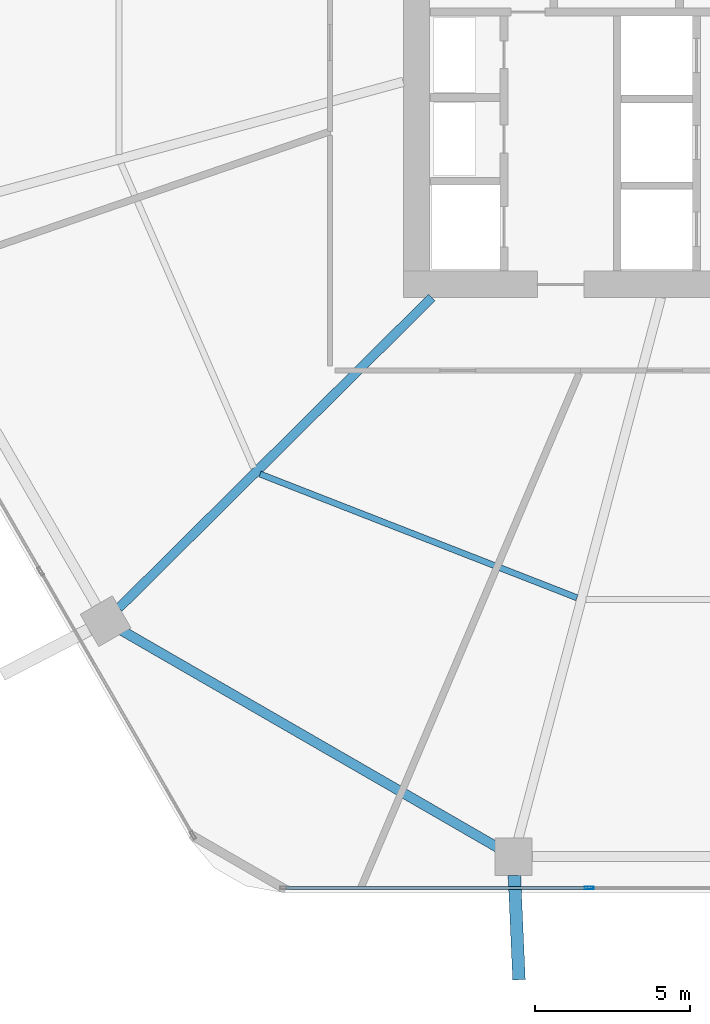
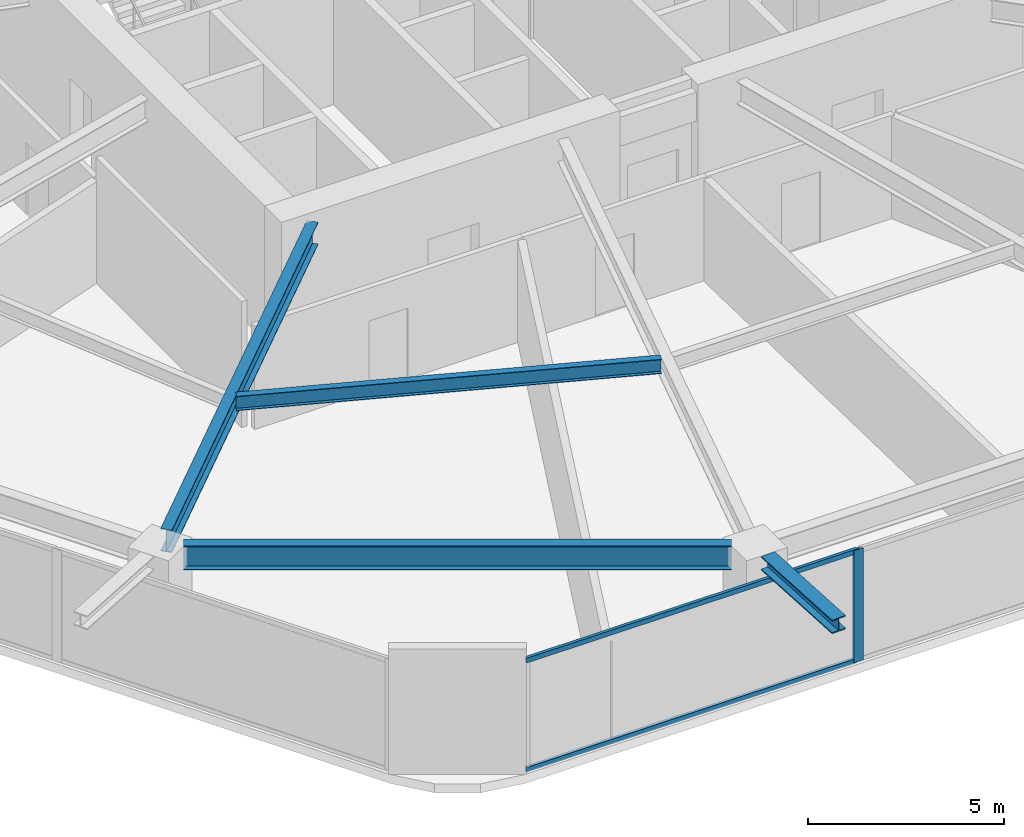
# One storey, part 3 of 25: 4 beams, 3 members, 1 element without a shape of its own.
"""IFC4 building model written with IfcOpenShell, lengths in metres."""

from ifc_helpers import new_model, si_unit, direction, frame, origin, origin_2d, place, context, subcontext, project, spatial, hollow_rectangle, i_section, extrude, material, material_profile, profile_set, type_object, element, aggregate, save


model = new_model("IFC4")

# Units and contexts
model_context = context("Model", 3, precision=1e-05, world=origin(), true_north=direction((0.0, 1.0)))
body_context = subcontext(model_context, "Body", "Model", "MODEL_VIEW")
ifc_project = project(units=[si_unit("LENGTHUNIT", "METRE"), si_unit("AREAUNIT", "SQUARE_METRE"), si_unit("VOLUMEUNIT", "CUBIC_METRE"), si_unit("PLANEANGLEUNIT", "RADIAN"), si_unit("MASSUNIT", "GRAM", prefix="KILO")], contexts=[model_context])

# Site, building, storey
site_placement = place(None, origin())
site = spatial("IfcSite", under=ifc_project, at=site_placement, CompositionType="ELEMENT")
building_placement = place(site_placement, origin())
building = spatial("IfcBuilding", under=site, at=building_placement, Name="Zuhravey Tower", CompositionType="ELEMENT")
storey_placement = place(building_placement, frame((0.0, 0.0, 62.39990234375)))
storey = spatial("IfcBuildingStorey", under=building, at=storey_placement, Name="L15", CompositionType="ELEMENT", Elevation=62.39990234375)

# Curtain wall, members
ifc_material_1 = material(Name="Thermally broken anodised aluminium", Category="aluminium")
curtain_wall_type = type_object("IfcCurtainWallType", Name="School Low-E Unitised Curtain Wall CW1", PredefinedType="NOTDEFINED", material=ifc_material_1)
curtain_wall_placement = place(storey_placement, origin())
curtain_wall = element("IfcCurtainWall", 1, at=curtain_wall_placement, inside=storey, type_object=curtain_wall_type, Name="L15 CW1 CW-L15-F5-1", PredefinedType="NOTDEFINED")
ifc_material_2 = material(Name="Anodised aluminium", Category="aluminium")
ifc_material_profile_1 = material_profile(ifc_material_2, hollow_rectangle(XDim=0.090087890625, YDim=0.284912109375, WallThickness=0.0048828125, at=origin_2d()), Name="ALU-RHS-90x285x5")
ifc_profile_set_1 = profile_set([ifc_material_profile_1], Name="Anodised aluminium")
member_type_1 = type_object("IfcMemberType", Name="Curtain-Wall Mullion 90x180", PredefinedType="MULLION", material=ifc_profile_set_1)
member_1_placement = place(storey_placement, frame((31.06689453125, 3.04150390625, 0.0), z_axis=(0.0, 0.0, 1.0), x_axis=(0.0, -1.0, 0.0)))
member_1 = element("IfcMember", 2, at=member_1_placement, type_object=member_type_1, Name="CW1 mullion 3", PredefinedType="MULLION", context=body_context, shape_type="SweptSolid", body=[
    extrude(hollow_rectangle(XDim=0.090087890625, YDim=0.284912109375, WallThickness=0.0048828125, at=origin_2d()), origin(), (0.0, 0.0, 1.0), 3.4921875),
])
ifc_material_profile_2 = material_profile(ifc_material_2, hollow_rectangle(XDim=0.090087890625, YDim=0.14990234375, WallThickness=0.0048828125, at=origin_2d()), Name="ALU-RHS-90x150x5")
ifc_profile_set_2 = profile_set([ifc_material_profile_2], Name="Anodised aluminium")
member_type_2 = type_object("IfcMemberType", Name="Curtain-Wall Transom 90x150", PredefinedType="USERDEFINED", material=ifc_profile_set_2)
member_2_placement = place(storey_placement, frame((31.021728515625, 3.04150390625, 0.045166015625), z_axis=(-1.0, 0.0, 0.0), x_axis=(0.0, -1.0, 0.0)))
member_2 = element("IfcMember", 3, at=member_2_placement, type_object=member_type_2, Name="CW1 transom 3.1", ObjectType="TRANSOM", PredefinedType="USERDEFINED", context=body_context, shape_type="SweptSolid", body=[
    extrude(hollow_rectangle(XDim=0.090087890625, YDim=0.14990234375, WallThickness=0.0048828125, at=origin_2d()), origin(), (0.0, 0.0, 1.0), 9.731201171875),
])
member_3_placement = place(storey_placement, frame((31.021728515625, 3.04150390625, 3.447021484375), z_axis=(-1.0, 0.0, 0.0), x_axis=(0.0, -1.0, 0.0)))
member_3 = element("IfcMember", 4, at=member_3_placement, type_object=member_type_2, Name="CW1 transom 3.2", ObjectType="TRANSOM", PredefinedType="USERDEFINED", context=body_context, shape_type="SweptSolid", body=[
    extrude(hollow_rectangle(XDim=0.090087890625, YDim=0.14990234375, WallThickness=0.0048828125, at=origin_2d()), origin(), (0.0, 0.0, 1.0), 9.731201171875),
])
aggregate(curtain_wall, [member_1, member_2, member_3])

# Beams
ifc_material_3 = material(Name="Steel SM460", Category="steel")
ifc_material_profile_3 = material_profile(ifc_material_3, i_section(OverallWidth=0.406982421875, OverallDepth=0.427978515625, WebThickness=0.02001953125, FlangeThickness=0.034912109375, at=origin_2d()), Name="H-428x407x20x35")
ifc_profile_set_3 = profile_set([ifc_material_profile_3], Name="Steel SM460")
beam_type_1 = type_object("IfcBeamType", Name="Exoskeleton Node Tie Beam H428x407", PredefinedType="BEAM", material=ifc_profile_set_3)
beam_1_placement = place(storey_placement, frame((28.65673828125, 3.447509765625, 3.7060546875), z_axis=(0.044192998795, -0.999023012176, 0.0), x_axis=(0.999023012176, 0.044192998795, 0.0)))
element("IfcBeam", 5, at=beam_1_placement, inside=storey, type_object=beam_type_1, Name="L15 Exoskeleton Node Tie NT1-09", PredefinedType="BEAM", context=body_context, shape_type="SweptSolid", body=[
    extrude(i_section(OverallWidth=0.406982421875, OverallDepth=0.427978515625, WebThickness=0.02001953125, FlangeThickness=0.034912109375, at=origin_2d()), origin(), (0.0, 0.0, 1.0), 3.3642578125),
])
ifc_material_4 = material(Name="Steel SM355", Category="steel")
ifc_material_profile_4 = material_profile(ifc_material_4, i_section(OverallWidth=0.320068359375, OverallDepth=0.75, WebThickness=0.013916015625, FlangeThickness=0.02490234375, at=origin_2d()), Name="H-750x320x14x25")
ifc_profile_set_4 = profile_set([ifc_material_profile_4], Name="Steel SM355")
beam_type_2 = type_object("IfcBeamType", Name="Perimeter Ring Beam H750x320", PredefinedType="BEAM", material=ifc_profile_set_4)
beam_2_placement = place(storey_placement, frame((16.003173828125, 11.341552734375, 3.545166015625), z_axis=(0.866029969761, -0.499992091414, 0.0), x_axis=(0.499992091414, 0.866029969761, 0.0)))
element("IfcBeam", 6, at=beam_2_placement, inside=storey, type_object=beam_type_2, Name="L15 PB1 BM-L15-PB-08", PredefinedType="BEAM", context=body_context, shape_type="SweptSolid", body=[
    extrude(i_section(OverallWidth=0.320068359375, OverallDepth=0.75, WebThickness=0.013916015625, FlangeThickness=0.02490234375, at=origin_2d()), origin(), (0.0, 0.0, 1.0), 13.977294921875),
])
ifc_material_profile_5 = material_profile(ifc_material_4, i_section(OverallWidth=0.300048828125, OverallDepth=0.699951171875, WebThickness=0.012939453125, FlangeThickness=0.02392578125, at=origin_2d()), Name="H-700x300x13x24")
ifc_profile_set_5 = profile_set([ifc_material_profile_5], Name="Steel SM355")
beam_type_3 = type_object("IfcBeamType", Name="Radial Primary Girder H700x300", PredefinedType="BEAM", material=ifc_profile_set_5)
beam_3_placement = place(storey_placement, frame((25.992919921875, 22.072021484375, 3.570068359375), z_axis=(-0.709902823282, -0.704299639, 0.0), x_axis=(0.704299639, -0.709902823282, 0.0)))
element("IfcBeam", 7, at=beam_3_placement, inside=storey, type_object=beam_type_3, Name="L15 RG1 BM-L15-RAD-08", PredefinedType="BEAM", context=body_context, shape_type="SweptSolid", body=[
    extrude(i_section(OverallWidth=0.300048828125, OverallDepth=0.699951171875, WebThickness=0.012939453125, FlangeThickness=0.02392578125, at=origin_2d()), origin(), (0.0, 0.0, 1.0), 14.204345703125),
])
ifc_material_profile_6 = material_profile(ifc_material_4, i_section(OverallWidth=0.199951171875, OverallDepth=0.449951171875, WebThickness=0.009033203125, FlangeThickness=0.013916015625, at=origin_2d()), Name="H-450x200x9x14")
ifc_profile_set_6 = profile_set([ifc_material_profile_6], Name="Steel SM355")
beam_type_4 = type_object("IfcBeamType", Name="Secondary Floor Joist H450x200", PredefinedType="JOIST", material=ifc_profile_set_6)
beam_4_placement = place(storey_placement, frame((20.4599609375, 16.38427734375, 3.695068359375), z_axis=(0.931516535886, -0.363698973562, 0.0), x_axis=(0.363698973562, 0.931516535886, 0.0)))
element("IfcBeam", 8, at=beam_4_placement, inside=storey, type_object=beam_type_4, Name="L15 SJ1 BM-L15-SJ-08-1", PredefinedType="JOIST", context=body_context, shape_type="SweptSolid", body=[
    extrude(i_section(OverallWidth=0.199951171875, OverallDepth=0.449951171875, WebThickness=0.009033203125, FlangeThickness=0.013916015625, at=origin_2d()), origin(), (0.0, 0.0, 1.0), 10.963134765625),
])

save(model, "model.ifc")
